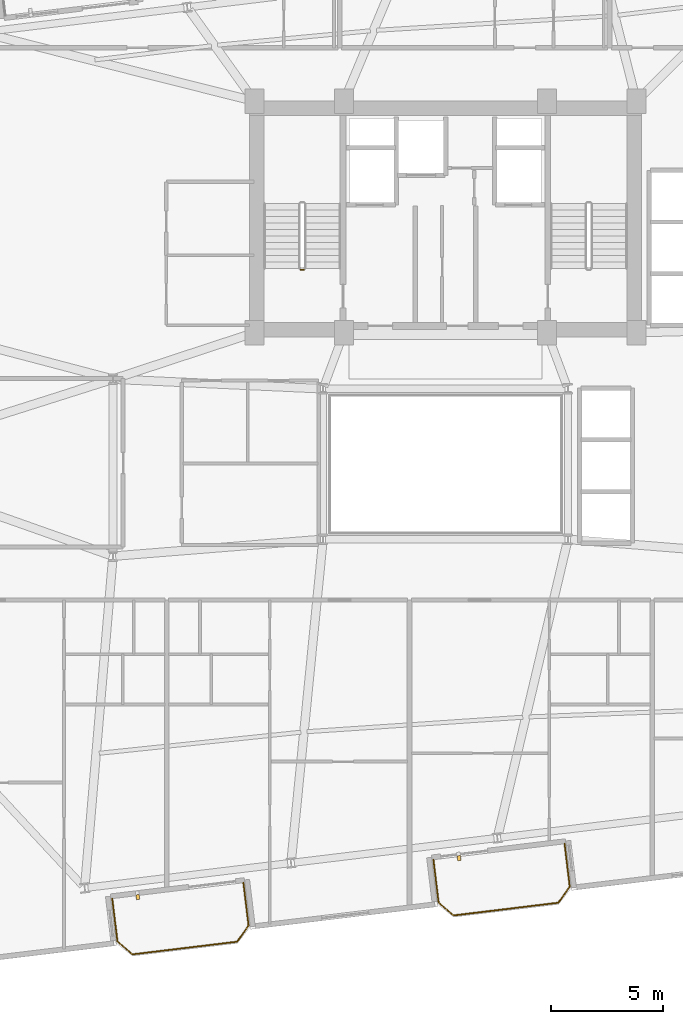
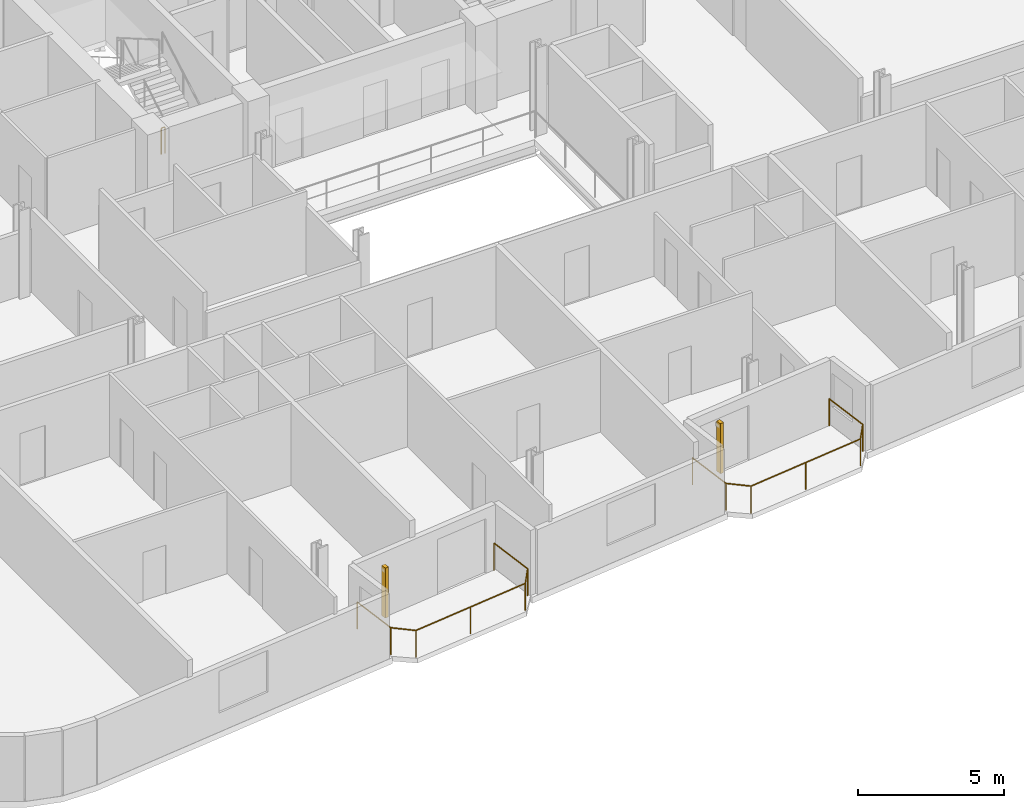
# One storey, part 20 of 23: 3 railings, 2 shading devices.
"""IFC4 building model written with IfcOpenShell, lengths in metres."""

from ifc_helpers import new_model, si_unit, direction, frame, origin, origin_2d, place, context, subcontext, project, spatial, rectangle, circle, extrude, source, transform, mapped, material, type_object, element, save


model = new_model("IFC4")

# Units and contexts
model_context = context("Model", 3, precision=1e-05, world=origin(), true_north=direction((0.0, 1.0)))
body_context = subcontext(model_context, "Body", "Model", "MODEL_VIEW")
ifc_project = project(units=[si_unit("LENGTHUNIT", "METRE"), si_unit("AREAUNIT", "SQUARE_METRE"), si_unit("VOLUMEUNIT", "CUBIC_METRE"), si_unit("PLANEANGLEUNIT", "RADIAN"), si_unit("MASSUNIT", "GRAM", prefix="KILO")], contexts=[model_context])

# Site, building, storey
site_placement = place(None, origin())
site = spatial("IfcSite", under=ifc_project, at=site_placement, CompositionType="ELEMENT")
building_placement = place(site_placement, origin())
building = spatial("IfcBuilding", under=site, at=building_placement, Name="Varnelok Gate Tower", CompositionType="ELEMENT")
storey_placement = place(building_placement, frame((0.0, 0.0, 174.60009765625)))
storey = spatial("IfcBuildingStorey", under=building, at=storey_placement, Name="L44", CompositionType="ELEMENT", Elevation=174.60009765625)

# Railings
ifc_material_1 = material(Name="Low-E Laminated Double Glazing IGU", Category="glass")
railing_type_1 = type_object("IfcRailingType", Name="RL-BALC-1150", PredefinedType="BALUSTRADE", material=ifc_material_1)
railing_1_placement = place(storey_placement, frame((24.368896484375, 3.55712890625, 0.0)))
element("IfcRailing", 1, at=railing_1_placement, inside=storey, type_object=railing_type_1, Name="L44 South Terrace Balustrade 1", PredefinedType="BALUSTRADE", context=body_context, shape_type="SweptSolid", body=[
    extrude(circle(Radius=0.02392578125, at=origin_2d()), frame((0.0, 0.0, 1.1259765625), z_axis=(0.120293392036, -0.992738384386, 0.0), x_axis=(0.992738384386, 0.120293392036, 0.0)), (0.0, 0.0, 1.0), 1.919921875),
    extrude(circle(Radius=0.02392578125, at=origin_2d()), frame((0.23095703125, -1.906005859375, 1.1259765625), z_axis=(0.756422670136, -0.654083132411, 0.0), x_axis=(0.654083132411, 0.756422670136, 0.0)), (0.0, 0.0, 1.0), 0.8779296875),
    extrude(circle(Radius=0.02392578125, at=origin_2d()), frame((0.89501953125, -2.480224609375, 1.1259765625), z_axis=(0.992736790351, 0.120306546306, 0.0), x_axis=(-0.120306546306, 0.992736790351, 0.0)), (0.0, 0.0, 1.0), 4.699951171875),
    extrude(circle(Radius=0.02392578125, at=origin_2d()), frame((5.560791015625, -1.914794921875, 1.1259765625), z_axis=(0.57815621837, 0.815926091726, 0.0), x_axis=(-0.815926091726, 0.57815621837, 0.0)), (0.0, 0.0, 1.0), 0.8779296875),
    extrude(circle(Radius=0.02392578125, at=origin_2d()), frame((6.068359375, -1.198486328125, 1.1259765625), z_axis=(-0.12040351024, 0.992725034802, 0.0), x_axis=(-0.992725034802, -0.12040351024, 0.0)), (0.0, 0.0, 1.0), 1.920166015625),
    extrude(circle(Radius=0.02099609375, at=origin_2d()), origin(), (0.0, 0.0, 1.0), 1.101806640625),
    extrude(circle(Radius=0.02099609375, at=origin_2d()), frame((0.23095703125, -1.906005859375, 0.0)), (0.0, 0.0, 1.0), 1.101806640625),
    extrude(circle(Radius=0.02099609375, at=origin_2d()), frame((0.89501953125, -2.480224609375, 0.0)), (0.0, 0.0, 1.0), 1.101806640625),
    extrude(circle(Radius=0.02099609375, at=origin_2d()), frame((3.22802734375, -2.197509765625, 0.0)), (0.0, 0.0, 1.0), 1.101806640625),
    extrude(circle(Radius=0.02099609375, at=origin_2d()), frame((5.560791015625, -1.914794921875, 0.0)), (0.0, 0.0, 1.0), 1.101806640625),
    extrude(circle(Radius=0.02099609375, at=origin_2d()), frame((6.068359375, -1.198486328125, 0.0)), (0.0, 0.0, 1.0), 1.101806640625),
    extrude(circle(Radius=0.02099609375, at=origin_2d()), frame((5.837158203125, 0.707763671875, 0.0)), (0.0, 0.0, 1.0), 1.101806640625),
])
railing_2_placement = place(storey_placement, frame((38.664306640625, 5.2900390625, 0.0)))
element("IfcRailing", 2, at=railing_2_placement, inside=storey, type_object=railing_type_1, Name="L44 South Terrace Balustrade 2", PredefinedType="BALUSTRADE", context=body_context, shape_type="SweptSolid", body=[
    extrude(circle(Radius=0.02392578125, at=origin_2d()), frame((0.0, 0.0, 1.1259765625), z_axis=(0.120293392036, -0.992738384386, 0.0), x_axis=(0.992738384386, 0.120293392036, 0.0)), (0.0, 0.0, 1.0), 1.919921875),
    extrude(circle(Radius=0.02392578125, at=origin_2d()), frame((0.23095703125, -1.906005859375, 1.1259765625), z_axis=(0.756303655992, -0.654220742513, 0.0), x_axis=(0.654220742513, 0.756303655992, 0.0)), (0.0, 0.0, 1.0), 0.877685546875),
    extrude(circle(Radius=0.02392578125, at=origin_2d()), frame((0.894775390625, -2.480224609375, 1.1259765625), z_axis=(0.99273133746, 0.120351533534, 0.0), x_axis=(-0.120351533534, 0.99273133746, 0.0)), (0.0, 0.0, 1.0), 4.7001953125),
    extrude(circle(Radius=0.02392578125, at=origin_2d()), frame((5.560791015625, -1.91455078125, 1.1259765625), z_axis=(0.577971037086, 0.816057277579, 0.0), x_axis=(-0.816057277579, 0.577971037086, 0.0)), (0.0, 0.0, 1.0), 0.877685546875),
    extrude(circle(Radius=0.02392578125, at=origin_2d()), frame((6.068115234375, -1.1982421875, 1.1259765625), z_axis=(-0.120293392036, 0.992738384386, 0.0), x_axis=(-0.992738384386, -0.120293392036, 0.0)), (0.0, 0.0, 1.0), 1.919921875),
    extrude(circle(Radius=0.02099609375, at=origin_2d()), origin(), (0.0, 0.0, 1.0), 1.101806640625),
    extrude(circle(Radius=0.02099609375, at=origin_2d()), frame((0.23095703125, -1.906005859375, 0.0)), (0.0, 0.0, 1.0), 1.101806640625),
    extrude(circle(Radius=0.02099609375, at=origin_2d()), frame((0.894775390625, -2.480224609375, 0.0)), (0.0, 0.0, 1.0), 1.101806640625),
    extrude(circle(Radius=0.02099609375, at=origin_2d()), frame((3.227783203125, -2.197265625, 0.0)), (0.0, 0.0, 1.0), 1.101806640625),
    extrude(circle(Radius=0.02099609375, at=origin_2d()), frame((5.560791015625, -1.91455078125, 0.0)), (0.0, 0.0, 1.0), 1.101806640625),
    extrude(circle(Radius=0.02099609375, at=origin_2d()), frame((6.068115234375, -1.1982421875, 0.0)), (0.0, 0.0, 1.0), 1.101806640625),
    extrude(circle(Radius=0.02099609375, at=origin_2d()), frame((5.837158203125, 0.707763671875, 0.0)), (0.0, 0.0, 1.0), 1.101806640625),
])
ifc_material_2 = material(Name="Galvanized Steel Grade S350GD", Category="steel")
railing_type_2 = type_object("IfcRailingType", Name="RL-STAIR-GUARD1120", PredefinedType="GUARDRAIL", material=ifc_material_2)
railing_3_placement = place(storey_placement, frame((32.89990234375, 31.550048828125, 0.0)))
element("IfcRailing", 3, at=railing_3_placement, inside=storey, type_object=railing_type_2, Name="L44 ST-1 stair guard 4", PredefinedType="GUARDRAIL", context=body_context, shape_type="SweptSolid", body=[
    extrude(circle(Radius=0.02392578125, at=origin_2d()), frame((0.0, 0.0, 1.09619140625), z_axis=(-1.0, 0.0, 0.0), x_axis=(0.0, -1.0, 0.0)), (0.0, 0.0, 1.0), 0.14990234375),
    extrude(circle(Radius=0.02099609375, at=origin_2d()), origin(), (0.0, 0.0, 1.0), 1.072021484375),
    extrude(circle(Radius=0.02099609375, at=origin_2d()), frame((-0.14990234375, 0.0, 0.0)), (0.0, 0.0, 1.0), 1.072021484375),
])

# Shading devices
ifc_material_3 = material(Name="Glazed Architectural Terracotta Ceramic", Category="masonry")
shading_device_type = type_object("IfcShadingDeviceType", Name="SHD-TERRA-BAGUETTE", PredefinedType="USERDEFINED", material=ifc_material_3)
shared_shape = source(origin(), body_context, "Body", "SweptSolid", [
    extrude(rectangle(XDim=0.139892578125, YDim=0.219970703125, at=origin_2d()), origin(), (0.0, 0.0, 1.0), 2.10009765625),
])
for number, where, z_axis, x_axis, name in (
    (4, (25.509033203125, 3.624755859375, 0.099853515625), (0.0, 0.0, 1.0), (0.992732158755, 0.12034475881, 0.0), "L44 Terracotta Ceramic Baguette Sunscreen 1.1"),
    (5, (39.80419921875, 5.35791015625, 0.099853515625), (0.0, 0.0, 1.0), (0.992732158755, 0.12034475881, 0.0), "L44 Terracotta Ceramic Baguette Sunscreen 2.1"),
):
    element("IfcShadingDevice", number, at=place(storey_placement, frame(where, z_axis=z_axis, x_axis=x_axis)), inside=storey, type_object=shading_device_type, Name=name, ObjectType="BAGUETTE", PredefinedType="USERDEFINED", context=body_context, shape_type="MappedRepresentation", body=[
        mapped(shared_shape, transform((0.0, 0.0, 0.0), scale=1.0)),
    ])

save(model, "model.ifc")
